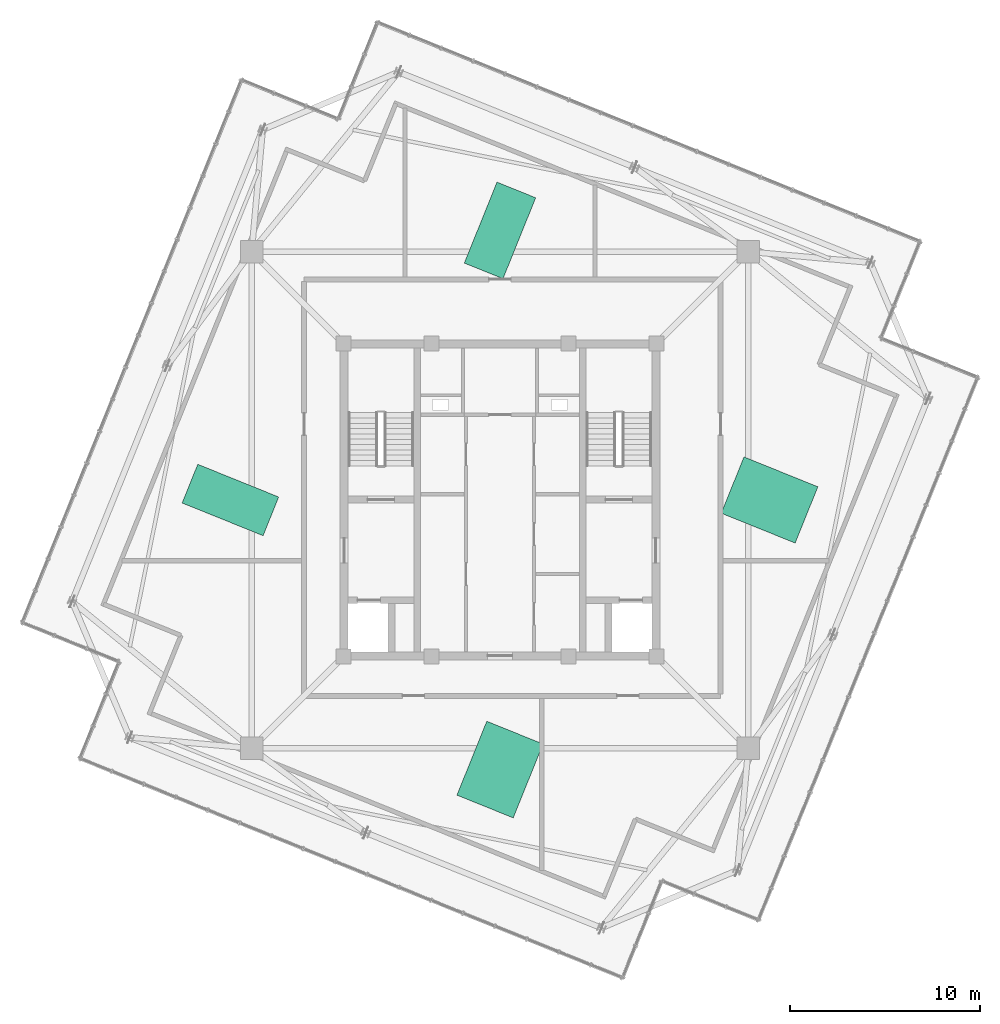
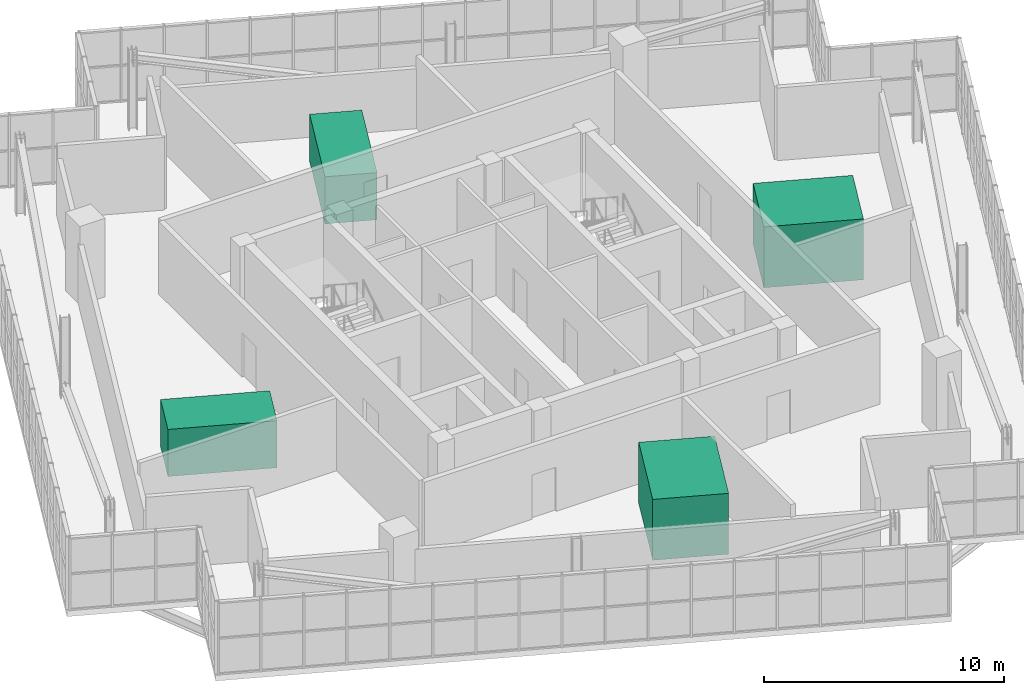
# One storey, part 26 of 26: 4 unitary equipment elements.
"""IFC4 building model written with IfcOpenShell, lengths in metres."""

from ifc_helpers import new_model, si_unit, direction, frame, origin, origin_2d, place, context, subcontext, project, spatial, rectangle, extrude, source, transform, mapped, material, type_object, element, save


model = new_model("IFC4")

# Units and contexts
model_context = context("Model", 3, precision=1e-05, world=origin(), true_north=direction((0.0, 1.0)))
body_context = subcontext(model_context, "Body", "Model", "MODEL_VIEW")
ifc_project = project(units=[si_unit("LENGTHUNIT", "METRE"), si_unit("AREAUNIT", "SQUARE_METRE"), si_unit("VOLUMEUNIT", "CUBIC_METRE"), si_unit("PLANEANGLEUNIT", "RADIAN"), si_unit("MASSUNIT", "GRAM", prefix="KILO"), si_unit("THERMODYNAMICTEMPERATUREUNIT", "KELVIN")], contexts=[model_context])

# Site, building, storey
site_placement = place(None, origin())
site = spatial("IfcSite", under=ifc_project, at=site_placement, CompositionType="ELEMENT")
building_placement = place(site_placement, origin())
building = spatial("IfcBuilding", under=site, at=building_placement, Name="Kosmvard Interchange Tower", CompositionType="ELEMENT")
storey_placement = place(building_placement, frame((0.0, 0.0, 333.60009765625)))
storey = spatial("IfcBuildingStorey", under=building, at=storey_placement, Name="L82", CompositionType="ELEMENT", Elevation=333.60009765625)

# Unitary equipment
ifc_material = material(Name="Steel S355", Category="steel")
unitary_equipment_type_1 = type_object("IfcUnitaryEquipmentType", Name="Modular Induced-Draft Cooling Tower Unit", PredefinedType="USERDEFINED", material=ifc_material)
shared_shape_1 = source(origin(), body_context, "Body", "SweptSolid", [
    extrude(rectangle(XDim=4.199951171875, YDim=3.199951171875, at=origin_2d()), origin(), (0.0, 0.0, 1.0), 3.10009765625),
])
unitary_equipment_1_placement = place(storey_placement, frame((0.0, -14.199951171875, -0.000244140625), z_axis=(0.0, 0.0, 1.0), x_axis=(0.374606593416, 0.927183854567, 0.0)))
element("IfcUnitaryEquipment", 1, at=unitary_equipment_1_placement, inside=storey, type_object=unitary_equipment_type_1, Name="L82 Crown Mechanical Plant Unit CT1", ObjectType="COOLING_TOWER", PredefinedType="USERDEFINED", context=body_context, shape_type="MappedRepresentation", body=[
    mapped(shared_shape_1, transform((0.0, 0.0, 0.0), scale=1.0)),
])
shared_shape_2 = source(origin(), body_context, "Body", "SweptSolid", [
    extrude(rectangle(XDim=3.199951171875, YDim=4.199951171875, at=origin_2d()), origin(), (0.0, 0.0, 1.0), 3.10009765625),
])
unitary_equipment_2_placement = place(storey_placement, frame((14.199951171875, 0.0, -0.000244140625), z_axis=(0.0, 0.0, 1.0), x_axis=(0.374606593416, 0.927183854567, 0.0)))
element("IfcUnitaryEquipment", 2, at=unitary_equipment_2_placement, inside=storey, type_object=unitary_equipment_type_1, Name="L82 Crown Mechanical Plant Unit CT2", ObjectType="COOLING_TOWER", PredefinedType="USERDEFINED", context=body_context, shape_type="MappedRepresentation", body=[
    mapped(shared_shape_2, transform((0.0, 0.0, 0.0), scale=1.0)),
])
unitary_equipment_type_2 = type_object("IfcUnitaryEquipmentType", Name="Centrifugal Water-Cooled Chiller & Heat Recovery Unit", PredefinedType="USERDEFINED", material=ifc_material)
shared_shape_3 = source(origin(), body_context, "Body", "SweptSolid", [
    extrude(rectangle(XDim=4.60009765625, YDim=2.199951171875, at=origin_2d()), origin(), (0.0, 0.0, 1.0), 2.39990234375),
])
unitary_equipment_3_placement = place(storey_placement, frame((0.0, 14.199951171875, 0.0), z_axis=(0.0, 0.0, 1.0), x_axis=(0.374606593416, 0.927183854567, 0.0)))
element("IfcUnitaryEquipment", 3, at=unitary_equipment_3_placement, inside=storey, type_object=unitary_equipment_type_2, Name="L82 Crown Mechanical Plant Unit CH1", ObjectType="CHILLER", PredefinedType="USERDEFINED", context=body_context, shape_type="MappedRepresentation", body=[
    mapped(shared_shape_3, transform((0.0, 0.0, 0.0), scale=1.0)),
])
shared_shape_4 = source(origin(), body_context, "Body", "SweptSolid", [
    extrude(rectangle(XDim=2.199951171875, YDim=4.60009765625, at=origin_2d()), origin(), (0.0, 0.0, 1.0), 2.39990234375),
])
unitary_equipment_4_placement = place(storey_placement, frame((-14.199951171875, 0.0, 0.0), z_axis=(0.0, 0.0, 1.0), x_axis=(0.374606593416, 0.927183854567, 0.0)))
element("IfcUnitaryEquipment", 4, at=unitary_equipment_4_placement, inside=storey, type_object=unitary_equipment_type_2, Name="L82 Crown Mechanical Plant Unit CH2", ObjectType="CHILLER", PredefinedType="USERDEFINED", context=body_context, shape_type="MappedRepresentation", body=[
    mapped(shared_shape_4, transform((0.0, 0.0, 0.0), scale=1.0)),
])

save(model, "model.ifc")
